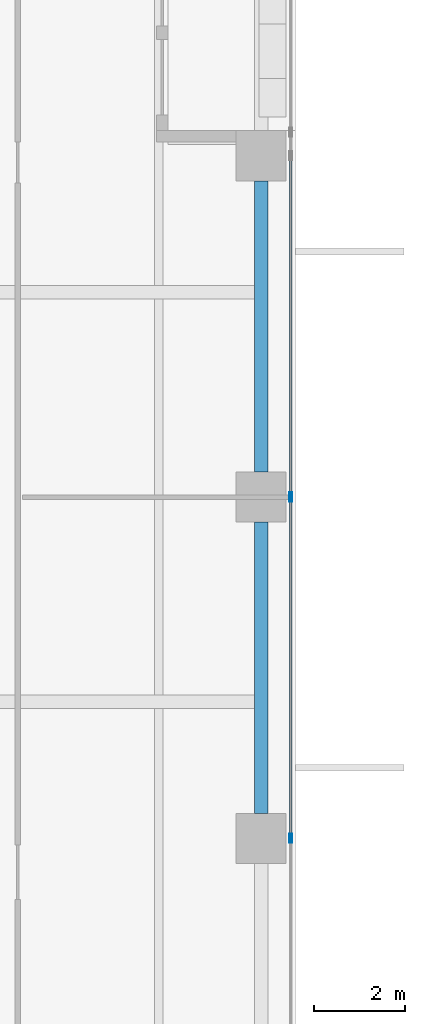
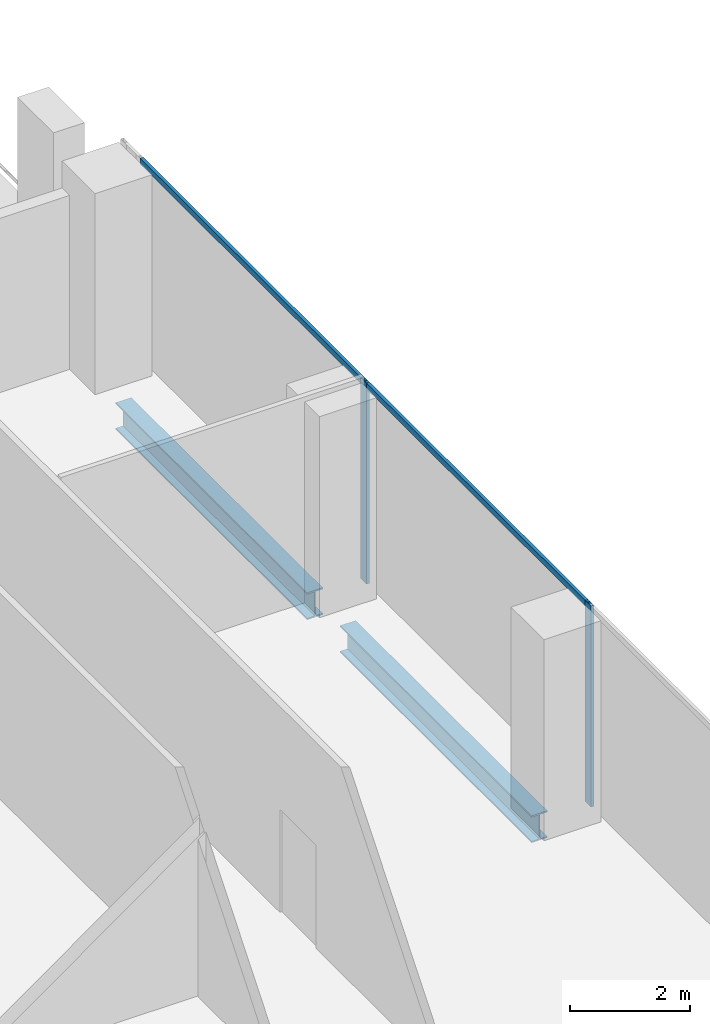
# One storey, part 13 of 35: 4 members, 2 beams, 1 element without a shape of its own.
"""IFC4 building model written with IfcOpenShell, lengths in metres."""

from ifc_helpers import new_model, si_unit, direction, frame, origin, origin_2d, place, context, subcontext, project, spatial, hollow_rectangle, i_section, extrude, source, transform, mapped, material, material_profile, profile_set, type_object, element, aggregate, save


model = new_model("IFC4")

# Units and contexts
model_context = context("Model", 3, precision=1e-05, world=origin(), true_north=direction((0.0, 1.0)))
body_context = subcontext(model_context, "Body", "Model", "MODEL_VIEW")
ifc_project = project(units=[si_unit("LENGTHUNIT", "METRE"), si_unit("AREAUNIT", "SQUARE_METRE"), si_unit("VOLUMEUNIT", "CUBIC_METRE"), si_unit("PLANEANGLEUNIT", "RADIAN"), si_unit("MASSUNIT", "GRAM", prefix="KILO")], contexts=[model_context])

# Site, building, storey
site_placement = place(None, origin())
site = spatial("IfcSite", under=ifc_project, at=site_placement, CompositionType="ELEMENT")
building_placement = place(site_placement, origin())
building = spatial("IfcBuilding", under=site, at=building_placement, Name="Khomas Fold Tower", CompositionType="ELEMENT")
storey_placement = place(building_placement, frame((0.0, 0.0, 132.300048828125)))
storey = spatial("IfcBuildingStorey", under=building, at=storey_placement, Name="L28", CompositionType="ELEMENT", Elevation=132.300048828125)

# Beams
ifc_material_1 = material(Name="Steel S355", Category="steel")
ifc_material_profile_1 = material_profile(ifc_material_1, i_section(OverallWidth=0.300048828125, OverallDepth=0.550048828125, WebThickness=0.014892578125, FlangeThickness=0.029052734375, at=origin_2d()), Name="HE 550 B")
ifc_profile_set_1 = profile_set([ifc_material_profile_1], Name="Steel S355")
beam_type = type_object("IfcBeamType", Name="HE 550 B spandrel SB2", PredefinedType="SPANDREL", material=ifc_profile_set_1)
shared_shape_1 = source(origin(), body_context, "Body", "SweptSolid", [
    extrude(i_section(OverallWidth=0.300048828125, OverallDepth=0.550048828125, WebThickness=0.014892578125, FlangeThickness=0.029052734375, at=origin_2d()), origin(), (0.0, 0.0, 1.0), 6.39990234375),
])
for number, where, z_axis, x_axis, name in (
    (1, (51.75, 20.050048828125, -0.574951171875), (0.0, 1.0, 0.0), (-1.0, 0.0, 0.0), "SB2"),
    (2, (51.75, 27.550048828125, -0.574951171875), (0.0, 1.0, 0.0), (-1.0, 0.0, 0.0), "SB2"),
):
    element("IfcBeam", number, at=place(storey_placement, frame(where, z_axis=z_axis, x_axis=x_axis)), inside=storey, type_object=beam_type, Name=name, PredefinedType="SPANDREL", context=body_context, shape_type="MappedRepresentation", body=[
        mapped(shared_shape_1, transform((0.0, 0.0, 0.0))),
    ])

# Curtain wall, members
ifc_material_2 = material(Name="Aluminium framed double glazing", Category="aluminium")
curtain_wall_type = type_object("IfcCurtainWallType", Name="SK-Unitised clear-glass wall, growing floors CW1", PredefinedType="NOTDEFINED", material=ifc_material_2)
curtain_wall_placement = place(storey_placement, origin())
curtain_wall = element("IfcCurtainWall", 3, at=curtain_wall_placement, inside=storey, type_object=curtain_wall_type, Name="CW1 run L28 03-0", PredefinedType="NOTDEFINED")
ifc_material_3 = material(Name="Aluminium", Category="aluminium")
ifc_material_profile_2 = material_profile(ifc_material_3, hollow_rectangle(XDim=0.06005859375, YDim=0.1201171875, WallThickness=0.00390625, at=origin_2d()), Name="SK-Unitised clear-glass wall, growing floors transom CW1-T")
ifc_profile_set_2 = profile_set([ifc_material_profile_2], Name="Aluminium")
member_type_1 = type_object("IfcMemberType", Name="SK-Unitised clear-glass wall, growing floors transom CW1-T", PredefinedType="USERDEFINED", material=ifc_profile_set_2)
shared_shape_2 = source(origin(), body_context, "Body", "SweptSolid", [
    extrude(hollow_rectangle(XDim=0.06005859375, YDim=0.1201171875, WallThickness=0.00390625, at=origin_2d()), origin(), (0.0, 0.0, 1.0), 7.43994140625),
])
member_1_placement = place(storey_placement, frame((52.39990234375, 19.530029296875, 4.0400390625), z_axis=(0.0, 1.0, 0.0), x_axis=(-1.0, 0.0, 0.0)))
member_1 = element("IfcMember", 4, at=member_1_placement, type_object=member_type_1, Name="CW1 transom 4", ObjectType="TRANSOM", PredefinedType="USERDEFINED", context=body_context, shape_type="MappedRepresentation", body=[
    mapped(shared_shape_2, transform((0.0, 0.0, 0.0))),
])
member_2_placement = place(storey_placement, frame((52.39990234375, 27.030029296875, 4.0400390625), z_axis=(0.0, 1.0, 0.0), x_axis=(-1.0, 0.0, 0.0)))
member_2 = element("IfcMember", 5, at=member_2_placement, type_object=member_type_1, Name="CW1 transom 5", ObjectType="TRANSOM", PredefinedType="USERDEFINED", context=body_context, shape_type="MappedRepresentation", body=[
    mapped(shared_shape_2, transform((0.0, 0.0, 0.0))),
])
ifc_material_4 = material(Name="Aluminium", Category="aluminium")
ifc_material_profile_3 = material_profile(ifc_material_4, hollow_rectangle(XDim=0.06005859375, YDim=0.199951171875, WallThickness=0.00390625, at=origin_2d()), Name="SK-Unitised clear-glass wall, growing floors mullion CW1-M")
ifc_profile_set_3 = profile_set([ifc_material_profile_3], Name="Aluminium")
member_type_2 = type_object("IfcMemberType", Name="SK-Unitised clear-glass wall, growing floors mullion CW1-M", PredefinedType="MULLION", material=ifc_profile_set_3)
shared_shape_3 = source(origin(), body_context, "Body", "SweptSolid", [
    extrude(hollow_rectangle(XDim=0.06005859375, YDim=0.199951171875, WallThickness=0.00390625, at=origin_2d()), origin(), (0.0, 0.0, 1.0), 4.099853515625),
])
member_3_placement = place(storey_placement, frame((52.39990234375, 19.5, 0.0), z_axis=(0.0, 0.0, 1.0), x_axis=(-1.0, 0.0, 0.0)))
member_3 = element("IfcMember", 6, at=member_3_placement, type_object=member_type_2, Name="CW1 mullion 4", PredefinedType="MULLION", context=body_context, shape_type="MappedRepresentation", body=[
    mapped(shared_shape_3, transform((0.0, 0.0, 0.0))),
])
member_4_placement = place(storey_placement, frame((52.39990234375, 27.0, 0.0), z_axis=(0.0, 0.0, 1.0), x_axis=(-1.0, 0.0, 0.0)))
member_4 = element("IfcMember", 7, at=member_4_placement, type_object=member_type_2, Name="CW1 mullion 5", PredefinedType="MULLION", context=body_context, shape_type="MappedRepresentation", body=[
    mapped(shared_shape_3, transform((0.0, 0.0, 0.0))),
])
aggregate(curtain_wall, [member_3, member_4, member_1, member_2])

save(model, "model.ifc")
